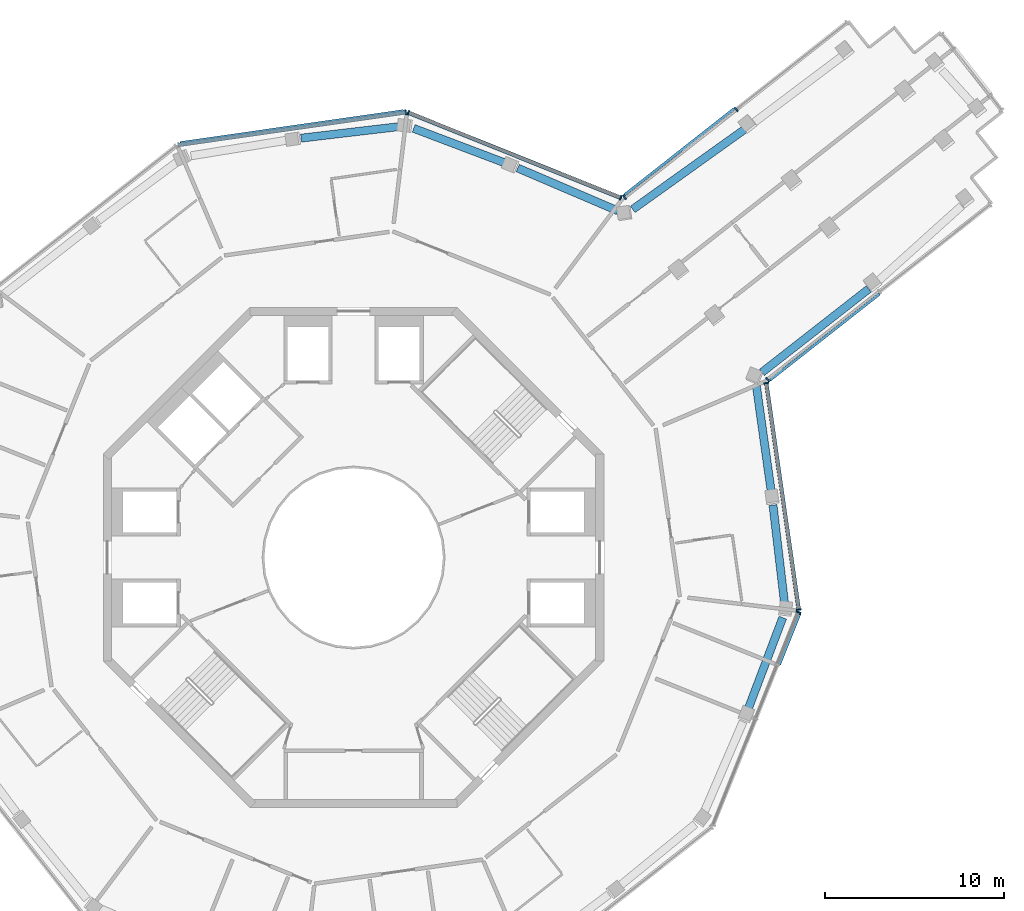
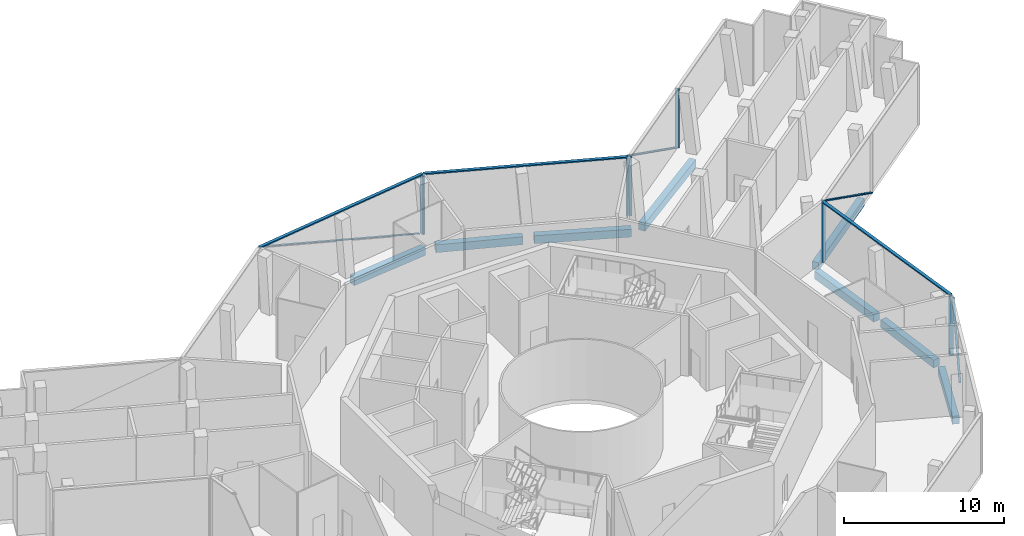
# One storey, part 5 of 19: 16 members, 8 beams, 6 elements without a shape of their own.
"""IFC4 building model written with IfcOpenShell, lengths in metres."""

import ifcopenshell
import ifcopenshell.guid

model = None  # the IFC model being written
_history = None  # IfcOwnerHistory: only IFC2X3 demands one
_inside = {}  # id of a spatial element -> (the spatial element, [elements in it])
_under = {}  # id of a project, library or spatial element -> (it, [spatial elements below it])
_declared = {}  # id of a project -> (the project, [libraries it declares])
_typed = {}  # id of a type object -> (the type object, [elements of that type])
_made_of = {}  # id of a material, layer set ... -> (it, [elements and type objects made of it])


def new_model(schema):
    """Start an empty IFC model of exactly this schema.

    Asked for "IFC4X3", IfcOpenShell would pick the latest addendum, in which some entities
    have other attributes; the version numbers below select the first issue.
    IFC2X3 requires an IfcOwnerHistory on every rooted entity: one is made here for all.
    """
    global model, _history
    if schema == "IFC4X3":
        model = ifcopenshell.file(schema_version=(4, 3, 0, 0))
    else:
        model = ifcopenshell.file(schema=schema)
    _inside.clear()
    _under.clear()
    _declared.clear()
    _typed.clear()
    _made_of.clear()
    _history = None
    if model.schema == "IFC2X3":
        org = make("IfcOrganization", Name="unknown")
        user = make(
            "IfcPersonAndOrganization",
            ThePerson=make("IfcPerson", FamilyName="unknown"),
            TheOrganization=org,
        )
        app = make(
            "IfcApplication",
            ApplicationDeveloper=org,
            Version="unknown",
            ApplicationFullName="unknown",
            ApplicationIdentifier="unknown",
        )
        _history = make(
            "IfcOwnerHistory",
            OwningUser=user,
            OwningApplication=app,
            ChangeAction="ADDED",
            CreationDate=0,
        )
    return model


def make(cls, **values):
    """One entity of the class cls with the attributes given. An attribute that is None is left unset."""
    return model.create_entity(
        cls, **{name: value for name, value in values.items() if value is not None}
    )


def rooted(cls, **values):
    """An entity with a GlobalId (a new one), such as an element, a storey or a relation."""
    return make(cls, GlobalId=ifcopenshell.guid.new(), OwnerHistory=_history, **values)


def si_unit(unit_type, name, prefix=None):
    """IfcSIUnit, for example si_unit("LENGTHUNIT", "METRE", prefix="MILLI")."""
    return make("IfcSIUnit", UnitType=unit_type, Prefix=prefix, Name=name)


def assignment(units):
    """IfcUnitAssignment: the units of a project."""
    return None if units is None else make("IfcUnitAssignment", Units=units)


def point(xyz):
    """IfcCartesianPoint."""
    return None if xyz is None else make("IfcCartesianPoint", Coordinates=xyz)


def direction(xyz):
    """IfcDirection."""
    return None if xyz is None else make("IfcDirection", DirectionRatios=xyz)


def frame(location, z_axis=None, x_axis=None):
    """IfcAxis2Placement3D, a coordinate frame: its origin and axes. An axis left out is left unset."""
    return make(
        "IfcAxis2Placement3D",
        Location=point(location),
        Axis=direction(z_axis),
        RefDirection=direction(x_axis),
    )


def frame_2d(location, x_axis=None):
    """IfcAxis2Placement2D, a coordinate frame in the plane: its origin and x axis."""
    return make(
        "IfcAxis2Placement2D", Location=point(location), RefDirection=direction(x_axis)
    )


def origin():
    """The frame at (0, 0, 0) with its axes left unset."""
    return frame((0.0, 0.0, 0.0))


def origin_2d():
    """The frame at (0, 0) in the plane with its x axis left unset."""
    return frame_2d((0.0, 0.0))


def place(relative_to, where):
    """IfcLocalPlacement: puts the frame where relative to a parent placement (None: the world)."""
    return make(
        "IfcLocalPlacement", PlacementRelTo=relative_to, RelativePlacement=where
    )


def context(
    kind, dimensions, precision=None, world=None, true_north=None, identifier=None
):
    """IfcGeometricRepresentationContext, for example the 3D "Model" context."""
    return make(
        "IfcGeometricRepresentationContext",
        ContextIdentifier=identifier,
        ContextType=kind,
        CoordinateSpaceDimension=dimensions,
        Precision=precision,
        WorldCoordinateSystem=world,
        TrueNorth=true_north,
    )


def subcontext(parent, identifier, kind, view, scale=None):
    """IfcGeometricRepresentationSubContext, for example "Body" below "Model"."""
    return make(
        "IfcGeometricRepresentationSubContext",
        ContextIdentifier=identifier,
        ContextType=kind,
        ParentContext=parent,
        TargetScale=scale,
        TargetView=view,
    )


def project(units=None, contexts=None):
    """IfcProject with its units and contexts."""
    return rooted(
        "IfcProject",
        Name="project",
        RepresentationContexts=contexts,
        UnitsInContext=assignment(units),
    )


def spatial(cls, under=None, at=None, **own):
    """A site, building, storey or space (cls), placed at a placement, below another one or the project."""
    s = rooted(cls, ObjectPlacement=at, **own)
    if under is not None:
        _under.setdefault(under.id(), (under, []))[1].append(s)
    return s


def profile(cls, at=None, kind="AREA", **sizes):
    """A parametric profile (cls). Its sizes go by their IFC names, for example OverallWidth=200.0."""
    return make(cls, ProfileType=kind, Position=at, **sizes)


def rectangle(**sizes):
    """IfcRectangleProfileDef."""
    return profile("IfcRectangleProfileDef", **sizes)


def extrude(swept, where, along, depth):
    """IfcExtrudedAreaSolid: the profile swept, set in the frame where, extruded along a direction by depth."""
    return make(
        "IfcExtrudedAreaSolid",
        SweptArea=swept,
        Position=where,
        ExtrudedDirection=direction(along),
        Depth=depth,
    )


def shape(context_of_items, identifier, shape_type, items):
    """IfcShapeRepresentation: the items that make up one representation, for example the "Body"."""
    return make(
        "IfcShapeRepresentation",
        ContextOfItems=context_of_items,
        RepresentationIdentifier=identifier,
        RepresentationType=shape_type,
        Items=items,
    )


def material(Name=None, Category=None):
    """IfcMaterial."""
    return make("IfcMaterial", Name=Name, Category=Category)


def layer(
    of_material, thickness, ventilated=None, Name=None, Category=None, Priority=None
):
    """IfcMaterialLayer: one layer of a wall or slab, of a material (None: an air gap)."""
    return make(
        "IfcMaterialLayer",
        Material=of_material,
        LayerThickness=thickness,
        IsVentilated=ventilated,
        Name=Name,
        Category=Category,
        Priority=Priority,
    )


def layer_set(layers, Name=None):
    """IfcMaterialLayerSet."""
    return make("IfcMaterialLayerSet", MaterialLayers=layers, LayerSetName=Name)


def material_profile(
    of_material, cross_section, Name=None, Category=None, Priority=None
):
    """IfcMaterialProfile: a cross section and its material."""
    return make(
        "IfcMaterialProfile",
        Name=Name,
        Material=of_material,
        Profile=cross_section,
        Priority=Priority,
        Category=Category,
    )


def profile_set(profiles, Name=None, composite=None):
    """IfcMaterialProfileSet."""
    return make(
        "IfcMaterialProfileSet",
        Name=Name,
        MaterialProfiles=profiles,
        CompositeProfile=composite,
    )


def made_of(thing, what):
    """Note that an element or type object is made of a material, layer set ...; save() writes the relation."""
    if what is not None:
        _made_of.setdefault(what.id(), (what, []))[1].append(thing)
    return thing


def type_object(cls, material=None, **own):
    """A type object (cls), such as IfcWallType, which elements share."""
    return made_of(rooted(cls, **own), material)


def element(
    cls,
    number,
    at=None,
    inside=None,
    cuts=None,
    type_object=None,
    material=None,
    context=None,
    identifier="Body",
    shape_type=None,
    held_by="IfcProductDefinitionShape",
    body=None,
    shapes=None,
    **own,
):
    """One element of the class cls, such as IfcWall. Its Tag is "e" and its number.

    at: its placement. inside: the storey or other place that contains it. cuts: it is an
    opening in that element (IfcRelVoidsElement). A single representation is given by context,
    identifier, shape_type and body (its items); several are given by shapes. held_by: the class
    of the entity that holds the representations. save() writes the other relations.
    """
    e = rooted(cls, Tag="e%d" % number, ObjectPlacement=at, **own)
    if body is not None:
        shapes = [shape(context, identifier, shape_type, body)]
    if shapes is not None:
        e.Representation = make(held_by, Representations=shapes)
    if inside is not None:
        _inside.setdefault(inside.id(), (inside, []))[1].append(e)
    if cuts is not None:
        rooted(
            "IfcRelVoidsElement", RelatingBuildingElement=cuts, RelatedOpeningElement=e
        )
    if type_object is not None:
        _typed.setdefault(type_object.id(), (type_object, []))[1].append(e)
    return made_of(e, material)


def aggregate(whole, parts):
    """IfcRelAggregates: a whole, such as a stair, and the parts it consists of."""
    return rooted("IfcRelAggregates", RelatingObject=whole, RelatedObjects=parts)


def save(model, path):
    """Write the relations noted so far, then the file.

    IfcRelAggregates (storeys below a building ...), IfcRelContainedInSpatialStructure (elements
    in a storey), IfcRelDefinesByType, IfcRelAssociatesMaterial and IfcRelDeclares: one each for
    every whole, place, type object, material and project.
    """
    for whole, parts in _under.values():
        aggregate(whole, parts)
    for where, things in _inside.values():
        rooted(
            "IfcRelContainedInSpatialStructure",
            RelatedElements=things,
            RelatingStructure=where,
        )
    for kind, things in _typed.values():
        rooted("IfcRelDefinesByType", RelatedObjects=things, RelatingType=kind)
    for what, things in _made_of.values():
        rooted("IfcRelAssociatesMaterial", RelatedObjects=things, RelatingMaterial=what)
    for by, libraries in _declared.values():
        rooted("IfcRelDeclares", RelatingContext=by, RelatedDefinitions=libraries)
    model.write(path)


model = new_model("IFC4")

# Units and contexts
model_context = context("Model", 3, precision=1e-05, world=origin(), true_north=direction((0.0, 1.0)))
body_context = subcontext(model_context, "Body", "Model", "MODEL_VIEW")
ifc_project = project(units=[si_unit("LENGTHUNIT", "METRE"), si_unit("AREAUNIT", "SQUARE_METRE"), si_unit("VOLUMEUNIT", "CUBIC_METRE"), si_unit("PLANEANGLEUNIT", "RADIAN"), si_unit("MASSUNIT", "GRAM", prefix="KILO")], contexts=[model_context])

# Site, building, storey
site_placement = place(None, origin())
site = spatial("IfcSite", under=ifc_project, at=site_placement, CompositionType="ELEMENT")
building_placement = place(site_placement, origin())
building = spatial("IfcBuilding", under=site, at=building_placement, Name="Verdalira Terraces Hotel", CompositionType="ELEMENT")
storey_placement = place(building_placement, frame((0.0, 0.0, 310.0)))
storey = spatial("IfcBuildingStorey", under=building, at=storey_placement, Name="L77", CompositionType="ELEMENT", Elevation=310.0)

# Curtain wall, member
ifc_material_1 = material(Name="Clear glass", Category="glass")
ifc_layer = layer(ifc_material_1, 0.280029296875)
ifc_layer_set = layer_set([ifc_layer], Name="CW6 curtain wall")
curtain_wall_type = type_object("IfcCurtainWallType", Name="CW6 curtain wall", PredefinedType="NOTDEFINED", material=ifc_layer_set)
curtain_wall_1_placement = place(storey_placement, origin())
curtain_wall_1 = element("IfcCurtainWall", 1, at=curtain_wall_1_placement, inside=storey, type_object=curtain_wall_type, Name="CW6 curtain wall L77 edge 26", PredefinedType="NOTDEFINED")
ifc_material_2 = material(Name="Terracotta frame", Category="masonry")
ifc_material_profile_1 = material_profile(ifc_material_2, rectangle(XDim=0.080078, YDim=0.280029, at=origin_2d()), Name="MU 80x280")
ifc_profile_set_1 = profile_set([ifc_material_profile_1], Name="Terracotta frame")
member_type_1 = type_object("IfcMemberType", Name="CW6 mullion 80x280", PredefinedType="MULLION", material=ifc_profile_set_1)
member_1_placement = place(storey_placement, frame((24.89624, -3.061768, 0.0), z_axis=(0.0, 0.0, 1.0), x_axis=(0.37201595, 0.928226337, 0.0)))
member_1 = element("IfcMember", 2, at=member_1_placement, type_object=member_type_1, Name="CW6 mullion", PredefinedType="MULLION", context=body_context, shape_type="SweptSolid", body=[
    extrude(rectangle(XDim=0.080078, YDim=0.280029, at=origin_2d()), origin(), (0.0, 0.0, 1.0), 4.51001),
])

# Curtain wall, members
curtain_wall_2_placement = place(storey_placement, origin())
curtain_wall_2 = element("IfcCurtainWall", 3, at=curtain_wall_2_placement, inside=storey, type_object=curtain_wall_type, Name="CW6 curtain wall L77 edge 27", PredefinedType="NOTDEFINED")
member_2_placement = place(storey_placement, frame((24.914062, -2.913086, 0.0), z_axis=(0.0, 0.0, 1.0), x_axis=(-0.141937905, 0.989875563, 0.0)))
member_2 = element("IfcMember", 4, at=member_2_placement, type_object=member_type_1, Name="CW6 mullion", PredefinedType="MULLION", context=body_context, shape_type="SweptSolid", body=[
    extrude(rectangle(XDim=0.080078, YDim=0.280029, at=origin_2d()), origin(), (0.0, 0.0, 1.0), 4.51001),
])
member_3_placement = place(storey_placement, frame((23.09668, 9.761963, 0.0), z_axis=(0.0, 0.0, 1.0), x_axis=(-0.141937905, 0.989875563, 0.0)))
member_3 = element("IfcMember", 5, at=member_3_placement, type_object=member_type_1, Name="CW6 mullion", PredefinedType="MULLION", context=body_context, shape_type="SweptSolid", body=[
    extrude(rectangle(XDim=0.080078, YDim=0.280029, at=origin_2d()), origin(), (0.0, 0.0, 1.0), 4.51001),
])

# Curtain wall, member
curtain_wall_3_placement = place(storey_placement, origin())
curtain_wall_3 = element("IfcCurtainWall", 6, at=curtain_wall_3_placement, inside=storey, type_object=curtain_wall_type, Name="CW6 curtain wall L77 edge 28", PredefinedType="NOTDEFINED")
member_4_placement = place(storey_placement, frame((23.174316, 9.956299, 0.0), z_axis=(0.0, 0.0, 1.0), x_axis=(0.786288432, 0.617859613, 0.0)))
member_4 = element("IfcMember", 7, at=member_4_placement, type_object=member_type_1, Name="CW6 mullion", PredefinedType="MULLION", context=body_context, shape_type="SweptSolid", body=[
    extrude(rectangle(XDim=0.080078, YDim=0.280029, at=origin_2d()), origin(), (0.0, 0.0, 1.0), 4.51001),
])

# Curtain wall, members
curtain_wall_4_placement = place(storey_placement, origin())
curtain_wall_4 = element("IfcCurtainWall", 8, at=curtain_wall_4_placement, inside=storey, type_object=curtain_wall_type, Name="CW6 curtain wall L77 edge 38", PredefinedType="NOTDEFINED")
member_5_placement = place(storey_placement, frame((21.410156, 25.077881, 0.0), z_axis=(0.0, 0.0, 1.0), x_axis=(-0.786288432, -0.617859613, 0.0)))
member_5 = element("IfcMember", 9, at=member_5_placement, type_object=member_type_1, Name="CW6 mullion", PredefinedType="MULLION", context=body_context, shape_type="SweptSolid", body=[
    extrude(rectangle(XDim=0.080078, YDim=0.280029, at=origin_2d()), origin(), (0.0, 0.0, 1.0), 4.51001),
])
member_6_placement = place(storey_placement, frame((15.154541, 20.162354, 0.0), z_axis=(0.0, 0.0, 1.0), x_axis=(-0.786288432, -0.617859613, 0.0)))
member_6 = element("IfcMember", 10, at=member_6_placement, type_object=member_type_1, Name="CW6 mullion", PredefinedType="MULLION", context=body_context, shape_type="SweptSolid", body=[
    extrude(rectangle(XDim=0.080078, YDim=0.280029, at=origin_2d()), origin(), (0.0, 0.0, 1.0), 4.51001),
])

curtain_wall_5_placement = place(storey_placement, origin())
curtain_wall_5 = element("IfcCurtainWall", 11, at=curtain_wall_5_placement, inside=storey, type_object=curtain_wall_type, Name="CW6 curtain wall L77 edge 39", PredefinedType="NOTDEFINED")
member_7_placement = place(storey_placement, frame((14.94751, 20.132568, 0.0), z_axis=(0.0, 0.0, 1.0), x_axis=(-0.928226337, 0.37201595, 0.0)))
member_7 = element("IfcMember", 12, at=member_7_placement, type_object=member_type_1, Name="CW6 mullion", PredefinedType="MULLION", context=body_context, shape_type="SweptSolid", body=[
    extrude(rectangle(XDim=0.080078, YDim=0.280029, at=origin_2d()), origin(), (0.0, 0.0, 1.0), 4.51001),
])
member_8_placement = place(storey_placement, frame((3.061768, 24.89624, 0.0), z_axis=(0.0, 0.0, 1.0), x_axis=(-0.928226337, 0.37201595, 0.0)))
member_8 = element("IfcMember", 13, at=member_8_placement, type_object=member_type_1, Name="CW6 mullion", PredefinedType="MULLION", context=body_context, shape_type="SweptSolid", body=[
    extrude(rectangle(XDim=0.080078, YDim=0.280029, at=origin_2d()), origin(), (0.0, 0.0, 1.0), 4.51001),
])

# Curtain wall, member
curtain_wall_6_placement = place(storey_placement, origin())
curtain_wall_6 = element("IfcCurtainWall", 14, at=curtain_wall_6_placement, inside=storey, type_object=curtain_wall_type, Name="CW6 curtain wall L77 edge 40", PredefinedType="NOTDEFINED")
member_9_placement = place(storey_placement, frame((2.913086, 24.914062, 0.0), z_axis=(0.0, 0.0, 1.0), x_axis=(-0.989875563, -0.141937905, 0.0)))
member_9 = element("IfcMember", 15, at=member_9_placement, type_object=member_type_1, Name="CW6 mullion", PredefinedType="MULLION", context=body_context, shape_type="SweptSolid", body=[
    extrude(rectangle(XDim=0.080078, YDim=0.280029, at=origin_2d()), origin(), (0.0, 0.0, 1.0), 4.51001),
])

# Member
ifc_material_3 = material(Name="Terracotta frame", Category="masonry")
ifc_material_profile_2 = material_profile(ifc_material_3, rectangle(XDim=0.219971, YDim=0.090088, at=origin_2d()), Name="TR 90x220")
ifc_profile_set_2 = profile_set([ifc_material_profile_2], Name="Terracotta frame")
member_type_2 = type_object("IfcMemberType", Name="CW6 transom 90x220", PredefinedType="USERDEFINED", material=ifc_profile_set_2)
member_10_placement = place(storey_placement, frame((24.919678, -2.952637, 4.554932), z_axis=(-0.141938614, 0.989875462, 0.0), x_axis=(-0.989875462, -0.141938614, 0.0)))
member_10 = element("IfcMember", 16, at=member_10_placement, type_object=member_type_2, Name="CW6 transom", ObjectType="TRANSOM", PredefinedType="USERDEFINED", context=body_context, shape_type="SweptSolid", body=[
    extrude(rectangle(XDim=0.219971, YDim=0.090088, at=origin_2d()), origin(), (0.0, 0.0, 1.0), 12.884766),
])

aggregate(curtain_wall_2, [member_2, member_3, member_10])

member_11_placement = place(storey_placement, frame((14.984619, 20.117676, 4.554932), z_axis=(-0.928222964, 0.372024367, 0.0), x_axis=(-0.372024367, -0.928222964, 0.0)))
member_11 = element("IfcMember", 17, at=member_11_placement, type_object=member_type_2, Name="CW6 transom", ObjectType="TRANSOM", PredefinedType="USERDEFINED", context=body_context, shape_type="SweptSolid", body=[
    extrude(rectangle(XDim=0.219971, YDim=0.090088, at=origin_2d()), origin(), (0.0, 0.0, 1.0), 12.884766),
])

aggregate(curtain_wall_5, [member_7, member_8, member_11])

member_12_placement = place(storey_placement, frame((2.952637, 24.919678, 4.554932), z_axis=(-0.989876041, -0.141934577, 0.0), x_axis=(0.141934577, -0.989876041, 0.0)))
member_12 = element("IfcMember", 18, at=member_12_placement, type_object=member_type_2, Name="CW6 transom", ObjectType="TRANSOM", PredefinedType="USERDEFINED", context=body_context, shape_type="SweptSolid", body=[
    extrude(rectangle(XDim=0.219971, YDim=0.090088, at=origin_2d()), origin(), (0.0, 0.0, 1.0), 12.919678),
])

ifc_material_4 = material(Name="Terracotta frame", Category="masonry")
ifc_material_profile_3 = material_profile(ifc_material_4, rectangle(XDim=0.149902, YDim=0.060059, at=origin_2d()), Name="GB 60x150")
ifc_profile_set_3 = profile_set([ifc_material_profile_3], Name="Terracotta frame")
member_type_3 = type_object("IfcMemberType", Name="Diagonal glazing bar 60x150", PredefinedType="USERDEFINED", material=ifc_profile_set_3)
member_13_placement = place(storey_placement, frame((23.834229, -5.97998, 0.037842), z_axis=(0.210295153, 0.52460238, 0.82496563), x_axis=(-0.928199317, 0.372083362, 0.0)))
member_13 = element("IfcMember", 19, at=member_13_placement, type_object=member_type_3, Name="Diagonal glazing bar", ObjectType="GLAZING BAR", PredefinedType="USERDEFINED", context=body_context, shape_type="SweptSolid", body=[
    extrude(rectangle(XDim=0.149902, YDim=0.060059, at=origin_2d()), origin(), (0.0, 0.0, 1.0), 5.375244),
])

aggregate(curtain_wall_1, [member_1, member_13])

member_14_placement = place(storey_placement, frame((23.304688, 9.931641, 4.48291), z_axis=(0.682345102, 0.536161356, -0.496926717), x_axis=(-0.617845108, 0.78629983, 0.0)))
member_14 = element("IfcMember", 20, at=member_14_placement, type_object=member_type_3, Name="Diagonal glazing bar", ObjectType="GLAZING BAR", PredefinedType="USERDEFINED", context=body_context, shape_type="SweptSolid", body=[
    extrude(rectangle(XDim=0.149902, YDim=0.060059, at=origin_2d()), origin(), (0.0, 0.0, 1.0), 8.966797),
])

aggregate(curtain_wall_3, [member_4, member_14])

member_15_placement = place(storey_placement, frame((21.279785, 25.102539, 0.0271), z_axis=(-0.682345102, -0.536161356, 0.496926717), x_axis=(0.617845108, -0.78629983, 0.0)))
member_15 = element("IfcMember", 21, at=member_15_placement, type_object=member_type_3, Name="Diagonal glazing bar", ObjectType="GLAZING BAR", PredefinedType="USERDEFINED", context=body_context, shape_type="SweptSolid", body=[
    extrude(rectangle(XDim=0.149902, YDim=0.060059, at=origin_2d()), origin(), (0.0, 0.0, 1.0), 8.966797),
])

aggregate(curtain_wall_4, [member_5, member_6, member_15])

member_16_placement = place(storey_placement, frame((2.778076, 24.99585, 0.029053), z_axis=(-0.933295528, -0.133826574, 0.333241511), x_axis=(0.141939631, -0.989875316, 0.0)))
member_16 = element("IfcMember", 22, at=member_16_placement, type_object=member_type_3, Name="Diagonal glazing bar", ObjectType="GLAZING BAR", PredefinedType="USERDEFINED", context=body_context, shape_type="SweptSolid", body=[
    extrude(rectangle(XDim=0.149902, YDim=0.060059, at=origin_2d()), origin(), (0.0, 0.0, 1.0), 13.359375),
])

aggregate(curtain_wall_6, [member_9, member_12, member_16])

# Beams
ifc_material_5 = material(Name="Concrete C40", Category="concrete")
ifc_material_profile_4 = material_profile(ifc_material_5, rectangle(XDim=0.449951, YDim=0.600098, at=origin_2d()), Name="RC 450X600")
ifc_profile_set_4 = profile_set([ifc_material_profile_4], Name="Concrete C40")
beam_type = type_object("IfcBeamType", Name="Spandrel beam RC 450X600 C40", PredefinedType="SPANDREL", material=ifc_profile_set_4)
beam_1_placement = place(storey_placement, frame((22.062256, -8.526367, -0.610107), z_axis=(0.354043673, 0.935228891, 0.0), x_axis=(-0.935228891, 0.354043673, 0.0)))
element("IfcBeam", 23, at=beam_1_placement, inside=storey, type_object=beam_type, Name="Spandrel beam B16", PredefinedType="SPANDREL", context=body_context, shape_type="SweptSolid", body=[
    extrude(rectangle(XDim=0.449951, YDim=0.600098, at=origin_2d()), origin(), (0.0, 0.0, 1.0), 5.521484),
])
beam_2_placement = place(storey_placement, frame((24.115723, -2.546631, -0.610107), z_axis=(-0.117036139, 0.993127657, 0.0), x_axis=(-0.993127657, -0.117036139, 0.0)))
element("IfcBeam", 24, at=beam_2_placement, inside=storey, type_object=beam_type, Name="Spandrel beam B17", PredefinedType="SPANDREL", context=body_context, shape_type="SweptSolid", body=[
    extrude(rectangle(XDim=0.449951, YDim=0.600098, at=origin_2d()), origin(), (0.0, 0.0, 1.0), 5.523682),
])
beam_3_placement = place(storey_placement, frame((23.378662, 3.640869, -0.610107), z_axis=(-0.139055706, 0.99028456, 0.0), x_axis=(-0.99028456, -0.139055706, 0.0)))
element("IfcBeam", 25, at=beam_3_placement, inside=storey, type_object=beam_type, Name="Spandrel beam B18", PredefinedType="SPANDREL", context=body_context, shape_type="SweptSolid", body=[
    extrude(rectangle(XDim=0.449951, YDim=0.600098, at=origin_2d()), origin(), (0.0, 0.0, 1.0), 6.011475),
])
beam_4_placement = place(storey_placement, frame((22.851318, 10.362549, -0.610107), z_axis=(0.788083424, 0.61556845, 0.0), x_axis=(-0.61556845, 0.788083424, 0.0)))
element("IfcBeam", 26, at=beam_4_placement, inside=storey, type_object=beam_type, Name="Spandrel beam B19", PredefinedType="SPANDREL", context=body_context, shape_type="SweptSolid", body=[
    extrude(rectangle(XDim=0.449951, YDim=0.600098, at=origin_2d()), origin(), (0.0, 0.0, 1.0), 7.583984),
])
beam_5_placement = place(storey_placement, frame((21.859375, 23.945312, -0.610107), z_axis=(-0.813434389, -0.581656681, 0.0), x_axis=(0.581656681, -0.813434389, 0.0)))
element("IfcBeam", 27, at=beam_5_placement, inside=storey, type_object=beam_type, Name="Spandrel beam B23", PredefinedType="SPANDREL", context=body_context, shape_type="SweptSolid", body=[
    extrude(rectangle(XDim=0.449951, YDim=0.600098, at=origin_2d()), origin(), (0.0, 0.0, 1.0), 7.669434),
])
beam_6_placement = place(storey_placement, frame((14.794922, 19.396973, -0.610107), z_axis=(-0.919389233, 0.393349004, 0.0), x_axis=(-0.393349004, -0.919389233, 0.0)))
element("IfcBeam", 28, at=beam_6_placement, inside=storey, type_object=beam_type, Name="Spandrel beam B24", PredefinedType="SPANDREL", context=body_context, shape_type="SweptSolid", body=[
    extrude(rectangle(XDim=0.449951, YDim=0.600098, at=origin_2d()), origin(), (0.0, 0.0, 1.0), 6.097412),
])
beam_7_placement = place(storey_placement, frame((8.526367, 22.062256, -0.610107), z_axis=(-0.935228891, 0.354043673, 0.0), x_axis=(-0.354043673, -0.935228891, 0.0)))
element("IfcBeam", 29, at=beam_7_placement, inside=storey, type_object=beam_type, Name="Spandrel beam B25", PredefinedType="SPANDREL", context=body_context, shape_type="SweptSolid", body=[
    extrude(rectangle(XDim=0.449951, YDim=0.600098, at=origin_2d()), origin(), (0.0, 0.0, 1.0), 5.521484),
])
beam_8_placement = place(storey_placement, frame((2.546631, 24.115723, -0.610107), z_axis=(-0.993127657, -0.117036139, 0.0), x_axis=(0.117036139, -0.993127657, 0.0)))
element("IfcBeam", 30, at=beam_8_placement, inside=storey, type_object=beam_type, Name="Spandrel beam B26", PredefinedType="SPANDREL", context=body_context, shape_type="SweptSolid", body=[
    extrude(rectangle(XDim=0.449951, YDim=0.600098, at=origin_2d()), origin(), (0.0, 0.0, 1.0), 5.523682),
])

save(model, "model.ifc")
